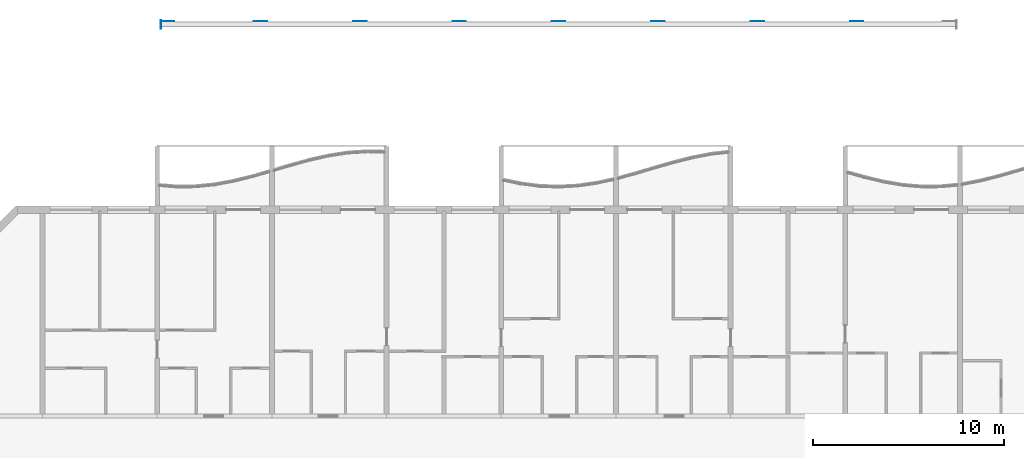
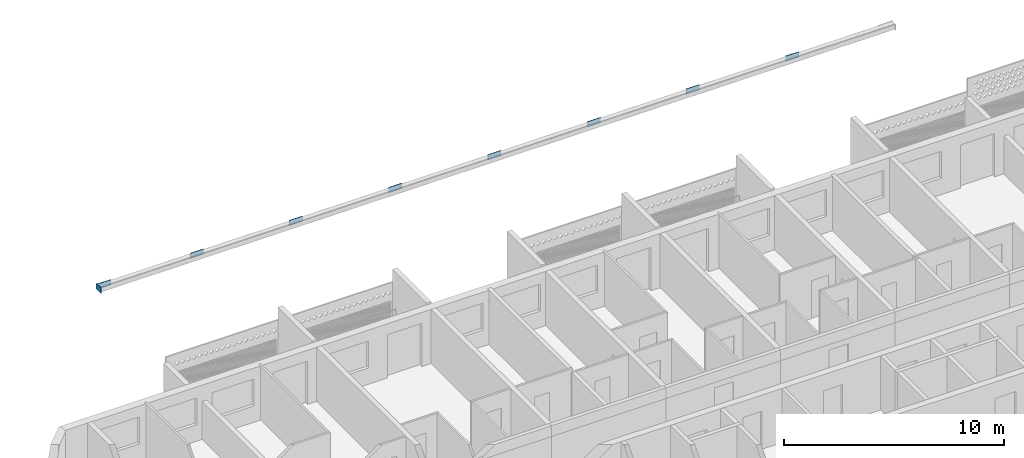
# One storey, part 2 of 20: 9 plates.
"""IFC4 building model written with IfcOpenShell, lengths in metres."""

from ifc_helpers import new_model, si_unit, direction, frame, origin, origin_2d, place, context, subcontext, project, spatial, rectangle, extrude, source, transform, mapped, material, layer, layer_set, type_object, element, save


model = new_model("IFC4")

# Units and contexts
model_context = context("Model", 3, precision=1e-05, world=origin(), true_north=direction((0.0, 1.0)))
body_context = subcontext(model_context, "Body", "Model", "MODEL_VIEW")
ifc_project = project(units=[si_unit("LENGTHUNIT", "METRE"), si_unit("AREAUNIT", "SQUARE_METRE"), si_unit("VOLUMEUNIT", "CUBIC_METRE"), si_unit("PLANEANGLEUNIT", "RADIAN"), si_unit("MASSUNIT", "GRAM", prefix="KILO")], contexts=[model_context])

# Site, building, storey
site_placement = place(None, origin())
site = spatial("IfcSite", under=ifc_project, at=site_placement, CompositionType="ELEMENT")
building_placement = place(site_placement, origin())
building = spatial("IfcBuilding", under=site, at=building_placement, Name="Poui Terraces", CompositionType="ELEMENT")
storey_placement = place(building_placement, frame((0.0, 0.0, 257.699951171875)))
storey = spatial("IfcBuildingStorey", under=building, at=storey_placement, Name="L72", CompositionType="ELEMENT", Elevation=257.699951171875)

# Plates
ifc_material = material(Name="Steel Grade 350 MPa", Category="steel")
ifc_layer_1 = layer(ifc_material, 0.02490234375)
ifc_layer_set_1 = layer_set([ifc_layer_1], Name="Steel Grade 350 MPa")
plate_type_1 = type_object("IfcPlateType", Name="CAST-IN PLATE 450x25 LOWER", PredefinedType="SHEET", material=ifc_layer_set_1)
shared_shape_1 = source(origin(), body_context, "Body", "SweptSolid", [
    extrude(rectangle(XDim=0.02490234375, YDim=0.449951171875, at=origin_2d()), origin(), (0.0, 0.0, 1.0), 0.300048828125),
])
plate_placement = place(storey_placement, frame((30.1875, 50.89990234375, 2.10009765625), z_axis=(0.0, 0.0, 1.0), x_axis=(1.0, 0.0, 0.0)))
element("IfcPlate", 1, at=plate_placement, inside=storey, type_object=plate_type_1, Name="CAST-IN PLATE", PredefinedType="SHEET", context=body_context, shape_type="MappedRepresentation", body=[
    mapped(shared_shape_1, transform((0.0, 0.0, 0.0))),
])
ifc_layer_2 = layer(ifc_material, 0.02001953125)
ifc_layer_set_2 = layer_set([ifc_layer_2], Name="Steel Grade 350 MPa")
plate_type_2 = type_object("IfcPlateType", Name="TRUSS NODE PLATE 700x20 BOTTOM CHORD", PredefinedType="SHEET", material=ifc_layer_set_2)
shared_shape_2 = source(origin(), body_context, "Body", "SweptSolid", [
    extrude(rectangle(XDim=0.699951171875, YDim=0.02001953125, at=origin_2d()), origin(), (0.0, 0.0, 1.0), 0.300048828125),
])
for number, where, z_axis, x_axis, name in (
    (2, (30.550048828125, 51.06005859375, 2.10009765625), (0.0, 0.0, 1.0), (1.0, 0.0, 0.0), "TRUSS NODE PLATE"),
    (3, (35.39990234375, 51.06005859375, 2.10009765625), (0.0, 0.0, 1.0), (1.0, 0.0, 0.0), "TRUSS NODE PLATE"),
    (4, (40.60009765625, 51.06005859375, 2.10009765625), (0.0, 0.0, 1.0), (1.0, 0.0, 0.0), "TRUSS NODE PLATE"),
    (5, (45.800048828125, 51.06005859375, 2.10009765625), (0.0, 0.0, 1.0), (1.0, 0.0, 0.0), "TRUSS NODE PLATE"),
    (6, (51.0, 51.06005859375, 2.10009765625), (0.0, 0.0, 1.0), (1.0, 0.0, 0.0), "TRUSS NODE PLATE"),
    (7, (56.199951171875, 51.06005859375, 2.10009765625), (0.0, 0.0, 1.0), (1.0, 0.0, 0.0), "TRUSS NODE PLATE"),
    (8, (61.39990234375, 51.06005859375, 2.10009765625), (0.0, 0.0, 1.0), (1.0, 0.0, 0.0), "TRUSS NODE PLATE"),
    (9, (66.60009765625, 51.06005859375, 2.10009765625), (0.0, 0.0, 1.0), (1.0, 0.0, 0.0), "TRUSS NODE PLATE"),
):
    element("IfcPlate", number, at=place(storey_placement, frame(where, z_axis=z_axis, x_axis=x_axis)), inside=storey, type_object=plate_type_2, Name=name, PredefinedType="SHEET", context=body_context, shape_type="MappedRepresentation", body=[
        mapped(shared_shape_2, transform((0.0, 0.0, 0.0))),
    ])

save(model, "model.ifc")
